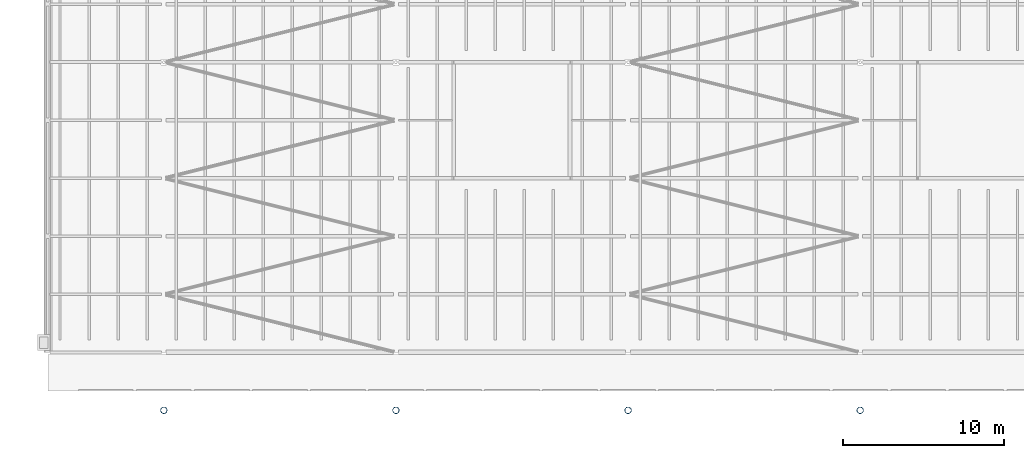
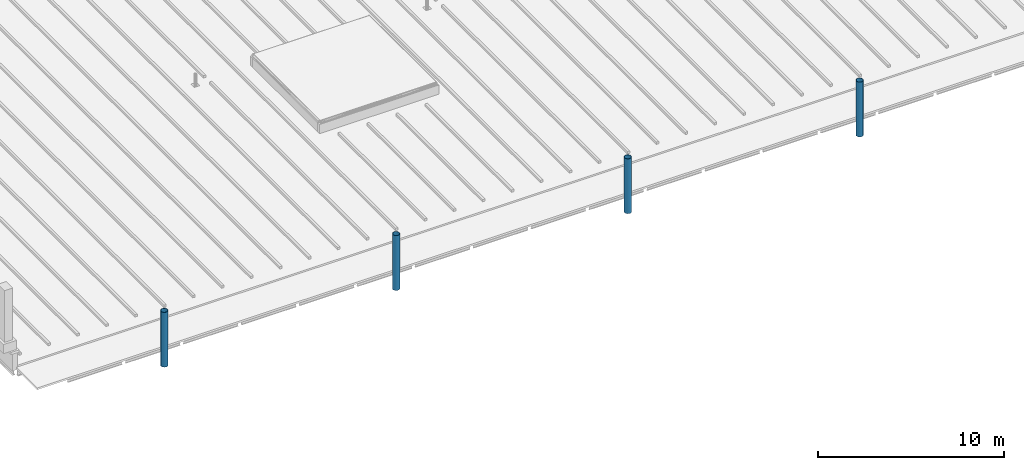
# One storey, part 4 of 120: 4 columns.
"""IFC4 building model written with IfcOpenShell, lengths in metres."""

import ifcopenshell
import ifcopenshell.guid

model = None  # the IFC model being written
_history = None  # IfcOwnerHistory: only IFC2X3 demands one
_inside = {}  # id of a spatial element -> (the spatial element, [elements in it])
_under = {}  # id of a project, library or spatial element -> (it, [spatial elements below it])
_declared = {}  # id of a project -> (the project, [libraries it declares])
_typed = {}  # id of a type object -> (the type object, [elements of that type])
_made_of = {}  # id of a material, layer set ... -> (it, [elements and type objects made of it])


def new_model(schema):
    """Start an empty IFC model of exactly this schema.

    Asked for "IFC4X3", IfcOpenShell would pick the latest addendum, in which some entities
    have other attributes; the version numbers below select the first issue.
    IFC2X3 requires an IfcOwnerHistory on every rooted entity: one is made here for all.
    """
    global model, _history
    if schema == "IFC4X3":
        model = ifcopenshell.file(schema_version=(4, 3, 0, 0))
    else:
        model = ifcopenshell.file(schema=schema)
    _inside.clear()
    _under.clear()
    _declared.clear()
    _typed.clear()
    _made_of.clear()
    _history = None
    if model.schema == "IFC2X3":
        org = make("IfcOrganization", Name="unknown")
        user = make(
            "IfcPersonAndOrganization",
            ThePerson=make("IfcPerson", FamilyName="unknown"),
            TheOrganization=org,
        )
        app = make(
            "IfcApplication",
            ApplicationDeveloper=org,
            Version="unknown",
            ApplicationFullName="unknown",
            ApplicationIdentifier="unknown",
        )
        _history = make(
            "IfcOwnerHistory",
            OwningUser=user,
            OwningApplication=app,
            ChangeAction="ADDED",
            CreationDate=0,
        )
    return model


def make(cls, **values):
    """One entity of the class cls with the attributes given. An attribute that is None is left unset."""
    return model.create_entity(
        cls, **{name: value for name, value in values.items() if value is not None}
    )


def rooted(cls, **values):
    """An entity with a GlobalId (a new one), such as an element, a storey or a relation."""
    return make(cls, GlobalId=ifcopenshell.guid.new(), OwnerHistory=_history, **values)


def si_unit(unit_type, name, prefix=None):
    """IfcSIUnit, for example si_unit("LENGTHUNIT", "METRE", prefix="MILLI")."""
    return make("IfcSIUnit", UnitType=unit_type, Prefix=prefix, Name=name)


def assignment(units):
    """IfcUnitAssignment: the units of a project."""
    return None if units is None else make("IfcUnitAssignment", Units=units)


def point(xyz):
    """IfcCartesianPoint."""
    return None if xyz is None else make("IfcCartesianPoint", Coordinates=xyz)


def direction(xyz):
    """IfcDirection."""
    return None if xyz is None else make("IfcDirection", DirectionRatios=xyz)


def frame(location, z_axis=None, x_axis=None):
    """IfcAxis2Placement3D, a coordinate frame: its origin and axes. An axis left out is left unset."""
    return make(
        "IfcAxis2Placement3D",
        Location=point(location),
        Axis=direction(z_axis),
        RefDirection=direction(x_axis),
    )


def frame_2d(location, x_axis=None):
    """IfcAxis2Placement2D, a coordinate frame in the plane: its origin and x axis."""
    return make(
        "IfcAxis2Placement2D", Location=point(location), RefDirection=direction(x_axis)
    )


def origin():
    """The frame at (0, 0, 0) with its axes left unset."""
    return frame((0.0, 0.0, 0.0))


def origin_2d():
    """The frame at (0, 0) in the plane with its x axis left unset."""
    return frame_2d((0.0, 0.0))


def place(relative_to, where):
    """IfcLocalPlacement: puts the frame where relative to a parent placement (None: the world)."""
    return make(
        "IfcLocalPlacement", PlacementRelTo=relative_to, RelativePlacement=where
    )


def context(
    kind, dimensions, precision=None, world=None, true_north=None, identifier=None
):
    """IfcGeometricRepresentationContext, for example the 3D "Model" context."""
    return make(
        "IfcGeometricRepresentationContext",
        ContextIdentifier=identifier,
        ContextType=kind,
        CoordinateSpaceDimension=dimensions,
        Precision=precision,
        WorldCoordinateSystem=world,
        TrueNorth=true_north,
    )


def subcontext(parent, identifier, kind, view, scale=None):
    """IfcGeometricRepresentationSubContext, for example "Body" below "Model"."""
    return make(
        "IfcGeometricRepresentationSubContext",
        ContextIdentifier=identifier,
        ContextType=kind,
        ParentContext=parent,
        TargetScale=scale,
        TargetView=view,
    )


def project(units=None, contexts=None):
    """IfcProject with its units and contexts."""
    return rooted(
        "IfcProject",
        Name="project",
        RepresentationContexts=contexts,
        UnitsInContext=assignment(units),
    )


def spatial(cls, under=None, at=None, **own):
    """A site, building, storey or space (cls), placed at a placement, below another one or the project."""
    s = rooted(cls, ObjectPlacement=at, **own)
    if under is not None:
        _under.setdefault(under.id(), (under, []))[1].append(s)
    return s


def profile(cls, at=None, kind="AREA", **sizes):
    """A parametric profile (cls). Its sizes go by their IFC names, for example OverallWidth=200.0."""
    return make(cls, ProfileType=kind, Position=at, **sizes)


def hollow_circle(**sizes):
    """IfcCircleHollowProfileDef."""
    return profile("IfcCircleHollowProfileDef", **sizes)


def extrude(swept, where, along, depth):
    """IfcExtrudedAreaSolid: the profile swept, set in the frame where, extruded along a direction by depth."""
    return make(
        "IfcExtrudedAreaSolid",
        SweptArea=swept,
        Position=where,
        ExtrudedDirection=direction(along),
        Depth=depth,
    )


def shape(context_of_items, identifier, shape_type, items):
    """IfcShapeRepresentation: the items that make up one representation, for example the "Body"."""
    return make(
        "IfcShapeRepresentation",
        ContextOfItems=context_of_items,
        RepresentationIdentifier=identifier,
        RepresentationType=shape_type,
        Items=items,
    )


def material(Name=None, Category=None):
    """IfcMaterial."""
    return make("IfcMaterial", Name=Name, Category=Category)


def material_profile(
    of_material, cross_section, Name=None, Category=None, Priority=None
):
    """IfcMaterialProfile: a cross section and its material."""
    return make(
        "IfcMaterialProfile",
        Name=Name,
        Material=of_material,
        Profile=cross_section,
        Priority=Priority,
        Category=Category,
    )


def profile_set(profiles, Name=None, composite=None):
    """IfcMaterialProfileSet."""
    return make(
        "IfcMaterialProfileSet",
        Name=Name,
        MaterialProfiles=profiles,
        CompositeProfile=composite,
    )


def made_of(thing, what):
    """Note that an element or type object is made of a material, layer set ...; save() writes the relation."""
    if what is not None:
        _made_of.setdefault(what.id(), (what, []))[1].append(thing)
    return thing


def type_object(cls, material=None, **own):
    """A type object (cls), such as IfcWallType, which elements share."""
    return made_of(rooted(cls, **own), material)


def element(
    cls,
    number,
    at=None,
    inside=None,
    cuts=None,
    type_object=None,
    material=None,
    context=None,
    identifier="Body",
    shape_type=None,
    held_by="IfcProductDefinitionShape",
    body=None,
    shapes=None,
    **own,
):
    """One element of the class cls, such as IfcWall. Its Tag is "e" and its number.

    at: its placement. inside: the storey or other place that contains it. cuts: it is an
    opening in that element (IfcRelVoidsElement). A single representation is given by context,
    identifier, shape_type and body (its items); several are given by shapes. held_by: the class
    of the entity that holds the representations. save() writes the other relations.
    """
    e = rooted(cls, Tag="e%d" % number, ObjectPlacement=at, **own)
    if body is not None:
        shapes = [shape(context, identifier, shape_type, body)]
    if shapes is not None:
        e.Representation = make(held_by, Representations=shapes)
    if inside is not None:
        _inside.setdefault(inside.id(), (inside, []))[1].append(e)
    if cuts is not None:
        rooted(
            "IfcRelVoidsElement", RelatingBuildingElement=cuts, RelatedOpeningElement=e
        )
    if type_object is not None:
        _typed.setdefault(type_object.id(), (type_object, []))[1].append(e)
    return made_of(e, material)


def aggregate(whole, parts):
    """IfcRelAggregates: a whole, such as a stair, and the parts it consists of."""
    return rooted("IfcRelAggregates", RelatingObject=whole, RelatedObjects=parts)


def save(model, path):
    """Write the relations noted so far, then the file.

    IfcRelAggregates (storeys below a building ...), IfcRelContainedInSpatialStructure (elements
    in a storey), IfcRelDefinesByType, IfcRelAssociatesMaterial and IfcRelDeclares: one each for
    every whole, place, type object, material and project.
    """
    for whole, parts in _under.values():
        aggregate(whole, parts)
    for where, things in _inside.values():
        rooted(
            "IfcRelContainedInSpatialStructure",
            RelatedElements=things,
            RelatingStructure=where,
        )
    for kind, things in _typed.values():
        rooted("IfcRelDefinesByType", RelatedObjects=things, RelatingType=kind)
    for what, things in _made_of.values():
        rooted("IfcRelAssociatesMaterial", RelatedObjects=things, RelatingMaterial=what)
    for by, libraries in _declared.values():
        rooted("IfcRelDeclares", RelatingContext=by, RelatedDefinitions=libraries)
    model.write(path)


model = new_model("IFC4")

# Units and contexts
model_context = context("Model", 3, precision=1e-05, world=origin(), true_north=direction((0.0, 1.0)))
body_context = subcontext(model_context, "Body", "Model", "MODEL_VIEW")
ifc_project = project(units=[si_unit("LENGTHUNIT", "METRE"), si_unit("AREAUNIT", "SQUARE_METRE"), si_unit("VOLUMEUNIT", "CUBIC_METRE"), si_unit("PLANEANGLEUNIT", "RADIAN"), si_unit("MASSUNIT", "GRAM", prefix="KILO")], contexts=[model_context])

# Site, building, storey
site_placement = place(None, origin())
site = spatial("IfcSite", under=ifc_project, at=site_placement, CompositionType="ELEMENT")
building_placement = place(site_placement, origin())
building = spatial("IfcBuilding", under=site, at=building_placement, Name="Kupolbacken Congress Centre", CompositionType="ELEMENT")
storey_placement = place(building_placement, frame((0.0, 0.0, 21.60009765625)))
storey = spatial("IfcBuildingStorey", under=building, at=storey_placement, Name="L06", CompositionType="ELEMENT", Elevation=21.60009765625)

# Columns
ifc_material = material(Name="Steel S355", Category="steel")
ifc_material_profile = material_profile(ifc_material, hollow_circle(Radius=0.203125, WallThickness=0.01611328125, at=origin_2d()), Name="CHS 406.4 x 16")
ifc_profile_set = profile_set([ifc_material_profile], Name="Steel S355")
column_type = type_object("IfcColumnType", Name="C15 roof mast CHS 406.4 x 16", PredefinedType="COLUMN", material=ifc_profile_set)
for number, where, z_axis, x_axis, name in (
    (1, (93.60009765625, 39.60009765625, 0.0), (0.0, 0.0, 1.0), (1.0, 0.0, 0.0), "Roof mast M1S"),
    (2, (108.0, 39.60009765625, 0.0), (0.0, 0.0, 1.0), (1.0, 0.0, 0.0), "Roof mast M2S"),
    (3, (122.39990234375, 39.60009765625, 0.0), (0.0, 0.0, 1.0), (1.0, 0.0, 0.0), "Roof mast M3S"),
    (4, (136.800048828125, 39.60009765625, 0.0), (0.0, 0.0, 1.0), (1.0, 0.0, 0.0), "Roof mast M4S"),
):
    element("IfcColumn", number, at=place(storey_placement, frame(where, z_axis=z_axis, x_axis=x_axis)), inside=storey, type_object=column_type, Name=name, PredefinedType="COLUMN", context=body_context, shape_type="SweptSolid", body=[
        extrude(hollow_circle(Radius=0.203125, WallThickness=0.01611328125, at=origin_2d()), origin(), (0.0, 0.0, 1.0), 3.599853515625),
    ])

save(model, "model.ifc")
